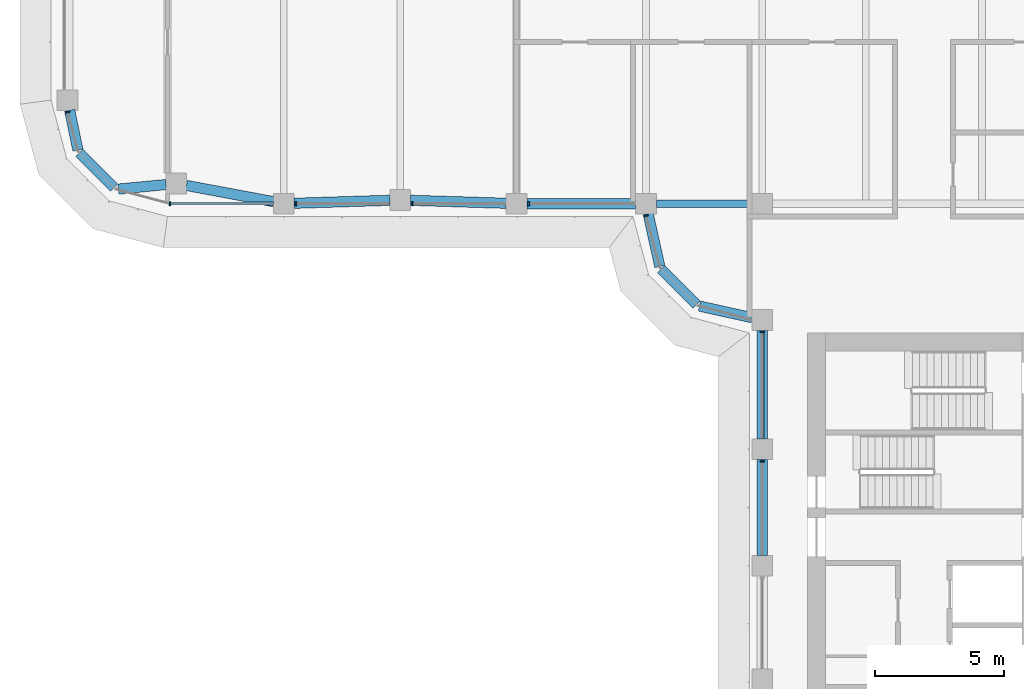
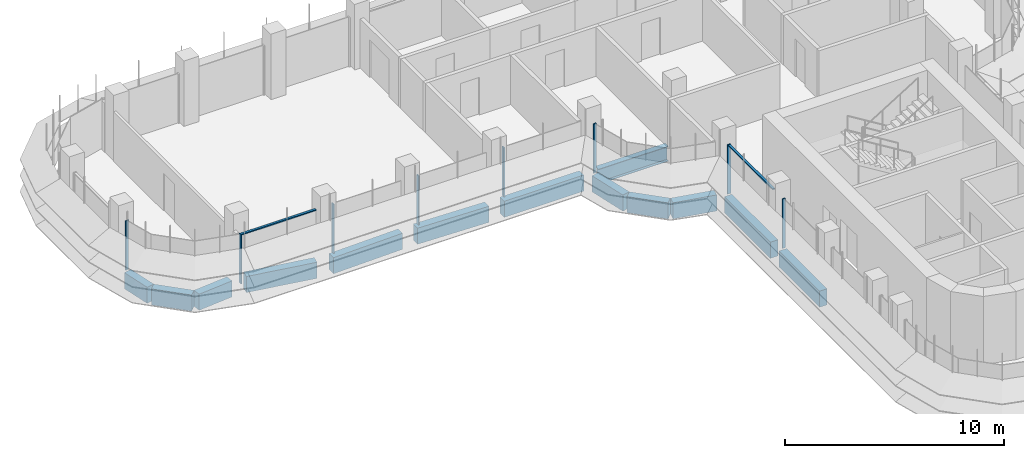
# One storey, part 3 of 20: 13 beams, 10 members, 4 elements without a shape of their own.
"""IFC4 building model written with IfcOpenShell, lengths in metres."""

from ifc_helpers import new_model, si_unit, direction, frame, origin, origin_2d, place, context, subcontext, project, spatial, polyline, rectangle, i_section, outline, extrude, source, transform, mapped, material, material_profile, profile_set, type_object, element, aggregate, save


model = new_model("IFC4")

# Units and contexts
model_context = context("Model", 3, precision=1e-05, world=origin(), true_north=direction((0.0, 1.0)))
body_context = subcontext(model_context, "Body", "Model", "MODEL_VIEW")
ifc_project = project(units=[si_unit("LENGTHUNIT", "METRE"), si_unit("AREAUNIT", "SQUARE_METRE"), si_unit("VOLUMEUNIT", "CUBIC_METRE"), si_unit("PLANEANGLEUNIT", "RADIAN"), si_unit("MASSUNIT", "GRAM", prefix="KILO")], contexts=[model_context])

# Site, building, storey
site_placement = place(None, origin())
site = spatial("IfcSite", under=ifc_project, at=site_placement, CompositionType="ELEMENT")
building_placement = place(site_placement, origin())
building = spatial("IfcBuilding", under=site, at=building_placement, Name="Zarbagh Exchange Tower", CompositionType="ELEMENT")
storey_placement = place(building_placement, frame((0.0, 0.0, 144.800048828125)))
storey = spatial("IfcBuildingStorey", under=building, at=storey_placement, Name="L34", CompositionType="ELEMENT", Elevation=144.800048828125)

# Beams
ifc_material_1 = material(Name="Steel ASTM A992 Gr 50", Category="steel")
ifc_material_profile_1 = material_profile(ifc_material_1, i_section(OverallWidth=0.2919921875, OverallDepth=0.835693359375, WebThickness=0.013916015625, FlangeThickness=0.018798828125, at=origin_2d()), Name="W33X118")
ifc_profile_set_1 = profile_set([ifc_material_profile_1], Name="Steel ASTM A992 Gr 50")
beam_type_1 = type_object("IfcBeamType", Name="Floor girder W33X118", PredefinedType="BEAM", material=ifc_profile_set_1)
beam_1_placement = place(storey_placement, frame((-10.35009765625, -6.25, -0.56787109375), z_axis=(1.0, 0.0, 0.0), x_axis=(0.0, 1.0, 0.0)))
element("IfcBeam", 1, at=beam_1_placement, inside=storey, type_object=beam_type_1, Name="Steel girder", PredefinedType="BEAM", context=body_context, shape_type="SweptSolid", body=[
    extrude(i_section(OverallWidth=0.2919921875, OverallDepth=0.835693359375, WebThickness=0.013916015625, FlangeThickness=0.018798828125, at=origin_2d()), origin(), (0.0, 0.0, 1.0), 3.7001953125),
])
ifc_material_2 = material(Name="Concrete C50/60", Category="concrete")
ifc_material_profile_2 = material_profile(ifc_material_2, rectangle(XDim=0.39990234375, YDim=0.89990234375, at=origin_2d()), Name="RC spandrel beam 400 x 900 C50/60")
ifc_profile_set_2 = profile_set([ifc_material_profile_2], Name="Concrete C50/60")
beam_type_2 = type_object("IfcBeamType", Name="RC spandrel beam 400 x 900 C50/60", PredefinedType="SPANDREL", material=ifc_profile_set_2)
beam_2_placement = place(storey_placement, frame((-6.25, -19.85009765625, -0.60009765625), z_axis=(0.0, 1.0, 0.0), x_axis=(-1.0, 0.0, 0.0)))
element("IfcBeam", 2, at=beam_2_placement, inside=storey, type_object=beam_type_2, Name="RC spandrel beam", PredefinedType="SPANDREL", context=body_context, shape_type="SweptSolid", body=[
    extrude(rectangle(XDim=0.39990234375, YDim=0.89990234375, at=origin_2d()), origin(), (0.0, 0.0, 1.0), 3.7001953125),
])
beam_3_placement = place(storey_placement, frame((-6.25, -15.35009765625, -0.60009765625), z_axis=(0.0, 1.0, 0.0), x_axis=(-1.0, 0.0, 0.0)))
element("IfcBeam", 3, at=beam_3_placement, inside=storey, type_object=beam_type_2, Name="RC spandrel beam", PredefinedType="SPANDREL", context=body_context, shape_type="SweptSolid", body=[
    extrude(rectangle(XDim=0.39990234375, YDim=0.89990234375, at=origin_2d()), origin(), (0.0, 0.0, 1.0), 4.2001953125),
])
beam_4_placement = place(storey_placement, frame((-6.640625, -10.66357421875, -0.60009765625), z_axis=(-0.976384278741, 0.216041061437, 0.0), x_axis=(-0.216041061437, -0.976384278741, 0.0)))
element("IfcBeam", 4, at=beam_4_placement, inside=storey, type_object=beam_type_2, Name="RC spandrel beam", PredefinedType="SPANDREL", context=body_context, shape_type="SweptSolid", body=[
    extrude(rectangle(XDim=0.39990234375, YDim=0.89990234375, at=origin_2d()), origin(), (0.0, 0.0, 1.0), 2.0927734375),
])
beam_5_placement = place(storey_placement, frame((-8.782470703125, -10.15771484375, -0.60009765625), z_axis=(-0.707106781187, 0.707106781187, 0.0), x_axis=(-0.707106781187, -0.707106781187, 0.0)))
element("IfcBeam", 5, at=beam_5_placement, inside=storey, type_object=beam_type_2, Name="RC spandrel beam", PredefinedType="SPANDREL", context=body_context, shape_type="SweptSolid", body=[
    extrude(rectangle(XDim=0.39990234375, YDim=0.89990234375, at=origin_2d()), origin(), (0.0, 0.0, 1.0), 1.94482421875),
])
beam_6_placement = place(storey_placement, frame((-10.21142578125, -8.68408203125, -0.60009765625), z_axis=(-0.216041061437, 0.976384278741, 0.0), x_axis=(-0.976384278741, -0.216041061437, 0.0)))
element("IfcBeam", 6, at=beam_6_placement, inside=storey, type_object=beam_type_2, Name="RC spandrel beam", PredefinedType="SPANDREL", context=body_context, shape_type="SweptSolid", body=[
    extrude(rectangle(XDim=0.39990234375, YDim=0.89990234375, at=origin_2d()), origin(), (0.0, 0.0, 1.0), 2.0927734375),
])
beam_7_placement = place(storey_placement, frame((-11.14990234375, -6.25, -0.60009765625), z_axis=(-1.0, 0.0, 0.0), x_axis=(0.0, -1.0, 0.0)))
element("IfcBeam", 7, at=beam_7_placement, inside=storey, type_object=beam_type_2, Name="RC spandrel beam", PredefinedType="SPANDREL", context=body_context, shape_type="SweptSolid", body=[
    extrude(rectangle(XDim=0.39990234375, YDim=0.89990234375, at=origin_2d()), origin(), (0.0, 0.0, 1.0), 4.2001953125),
])
for number, where, z_axis, x_axis, name in (
    (8, (-16.14990234375, -6.237548828125, -0.60009765625), (-0.999515416033, 0.031127690444, 0.0), (-0.031127690444, -0.999515416033, 0.0), "RC spandrel beam"),
    (9, (-20.64990234375, -6.122314453125, -0.60009765625), (-0.999515416033, -0.031127690444, 0.0), (0.031127690444, -0.999515416033, 0.0), "RC spandrel beam"),
):
    element("IfcBeam", number, at=place(storey_placement, frame(where, z_axis=z_axis, x_axis=x_axis)), inside=storey, type_object=beam_type_2, Name=name, PredefinedType="SPANDREL", context=body_context, shape_type="SweptSolid", body=[
        extrude(rectangle(XDim=0.39990234375, YDim=0.89990234375, at=origin_2d()), origin(), (0.0, 0.0, 1.0), 3.701904296875),
    ])
beam_8_placement = place(storey_placement, frame((-25.143310546875, -6.1767578125, -0.60009765625), z_axis=(-0.983069862768, 0.183231124313, 0.0), x_axis=(-0.183231124313, -0.983069862768, 0.0)))
element("IfcBeam", 10, at=beam_8_placement, inside=storey, type_object=beam_type_2, Name="RC spandrel beam", PredefinedType="SPANDREL", context=body_context, shape_type="SweptSolid", body=[
    extrude(rectangle(XDim=0.39990234375, YDim=0.89990234375, at=origin_2d()), origin(), (0.0, 0.0, 1.0), 3.4296875),
])
beam_9_placement = place(storey_placement, frame((-29.30615234375, -5.51318359375, -0.60009765625), z_axis=(-0.995435353267, -0.095438239015, 0.0), x_axis=(0.095438239015, -0.995435353267, 0.0)))
element("IfcBeam", 11, at=beam_9_placement, inside=storey, type_object=beam_type_2, Name="RC spandrel beam", PredefinedType="SPANDREL", context=body_context, shape_type="SweptSolid", body=[
    extrude(rectangle(XDim=0.39990234375, YDim=0.89990234375, at=origin_2d()), origin(), (0.0, 0.0, 1.0), 1.849609375),
])
beam_10_placement = place(storey_placement, frame((-31.307861328125, -5.632080078125, -0.60009765625), z_axis=(-0.707106781187, 0.707106781187, 0.0), x_axis=(-0.707106781187, -0.707106781187, 0.0)))
element("IfcBeam", 12, at=beam_10_placement, inside=storey, type_object=beam_type_2, Name="RC spandrel beam", PredefinedType="SPANDREL", context=body_context, shape_type="SweptSolid", body=[
    extrude(rectangle(XDim=0.39990234375, YDim=0.89990234375, at=origin_2d()), origin(), (0.0, 0.0, 1.0), 1.9072265625),
])
beam_11_placement = place(storey_placement, frame((-32.7109375, -4.1826171875, -0.60009765625), z_axis=(-0.20216948151, 0.979350550491, 0.0), x_axis=(-0.979350550491, -0.20216948151, 0.0)))
element("IfcBeam", 13, at=beam_11_placement, inside=storey, type_object=beam_type_2, Name="RC spandrel beam", PredefinedType="SPANDREL", context=body_context, shape_type="SweptSolid", body=[
    extrude(rectangle(XDim=0.39990234375, YDim=0.89990234375, at=origin_2d()), origin(), (0.0, 0.0, 1.0), 1.573486328125),
])

# Curtain wall, member
ifc_material_3 = material(Name="Anodised aluminium frame and glazing", Category="aluminium")
curtain_wall_type = type_object("IfcCurtainWallType", Name="CWB Ribbon glazing, upper zones", PredefinedType="NOTDEFINED", material=ifc_material_3)
curtain_wall_1_placement = place(storey_placement, origin())
curtain_wall_1 = element("IfcCurtainWall", 14, at=curtain_wall_1_placement, inside=storey, type_object=curtain_wall_type, Name="CWB37 curtain wall", PredefinedType="NOTDEFINED")
ifc_material_4 = material(Name="Anodised aluminium frame", Category="aluminium")
member_type_1 = type_object("IfcMemberType", Name="MUB Mullion, anodised aluminium frame", PredefinedType="MULLION", material=ifc_material_4)
shared_shape_1 = source(origin(), body_context, "Body", "SweptSolid", [
    extrude(outline(polyline([(0.0, -0.080078125), (0.06005859375, -0.080078125), (0.06005859375, 0.080078125), (0.0, 0.080078125), (0.0, -0.080078125)])), origin(), (0.0, 0.0, 1.0), 2.75),
])
placement = place(storey_placement, origin())
member_1 = element("IfcMember", 15, at=placement, type_object=member_type_1, Name="CWB37 mullion 1.1", PredefinedType="MULLION", context=body_context, shape_type="MappedRepresentation", body=[
    mapped(shared_shape_1, transform((-33.114501953125, -2.68994140625, 0.0), x_axis=(0.258824779902, -0.965924289636, 0.0), y_axis=(0.965924289636, 0.258824779902, 0.0), z_axis=(0.0, 0.0, 1.0))),
])
aggregate(curtain_wall_1, [member_1])

# Curtain wall, members
curtain_wall_2_placement = place(storey_placement, origin())
curtain_wall_2 = element("IfcCurtainWall", 16, at=curtain_wall_2_placement, inside=storey, type_object=curtain_wall_type, Name="CWB40 curtain wall", PredefinedType="NOTDEFINED")
member_2 = element("IfcMember", 17, at=placement, type_object=member_type_1, Name="CWB40 mullion 1.1", PredefinedType="MULLION", context=body_context, shape_type="MappedRepresentation", body=[
    mapped(shared_shape_1, transform((-29.18408203125, -6.25, 0.0), x_axis=(1.0, 0.0, 0.0), y_axis=(0.0, 1.0, 0.0), z_axis=(0.0, 0.0, 1.0))),
])
member_3 = element("IfcMember", 18, at=placement, type_object=member_type_1, Name="CWB40 mullion 2.1", PredefinedType="MULLION", context=body_context, shape_type="MappedRepresentation", body=[
    mapped(shared_shape_1, transform((-24.31005859375, -6.25, 0.0), x_axis=(1.0, 0.0, 0.0), y_axis=(0.0, 1.0, 0.0), z_axis=(0.0, 0.0, 1.0))),
])
member_4 = element("IfcMember", 19, at=placement, type_object=member_type_1, Name="CWB40 mullion 3.1", PredefinedType="MULLION", context=body_context, shape_type="MappedRepresentation", body=[
    mapped(shared_shape_1, transform((-19.81005859375, -6.25, 0.0), x_axis=(1.0, 0.0, 0.0), y_axis=(0.0, 1.0, 0.0), z_axis=(0.0, 0.0, 1.0))),
])
member_5 = element("IfcMember", 20, at=placement, type_object=member_type_1, Name="CWB40 mullion 4.1", PredefinedType="MULLION", context=body_context, shape_type="MappedRepresentation", body=[
    mapped(shared_shape_1, transform((-15.31005859375, -6.25, 0.0), x_axis=(1.0, 0.0, 0.0), y_axis=(0.0, 1.0, 0.0), z_axis=(0.0, 0.0, 1.0))),
])

# Curtain wall, member
curtain_wall_3_placement = place(storey_placement, origin())
curtain_wall_3 = element("IfcCurtainWall", 21, at=curtain_wall_3_placement, inside=storey, type_object=curtain_wall_type, Name="CWB41 curtain wall", PredefinedType="NOTDEFINED")
member_6 = element("IfcMember", 22, at=placement, type_object=member_type_1, Name="CWB41 mullion 1.1", PredefinedType="MULLION", context=body_context, shape_type="MappedRepresentation", body=[
    mapped(shared_shape_1, transform((-10.74853515625, -6.68994140625, 0.0), x_axis=(0.258824779902, -0.965924289636, 0.0), y_axis=(0.965924289636, 0.258824779902, 0.0), z_axis=(0.0, 0.0, 1.0))),
])
aggregate(curtain_wall_3, [member_6])

# Curtain wall, members
curtain_wall_4_placement = place(storey_placement, origin())
curtain_wall_4 = element("IfcCurtainWall", 23, at=curtain_wall_4_placement, inside=storey, type_object=curtain_wall_type, Name="CWB44 curtain wall", PredefinedType="NOTDEFINED")
member_7 = element("IfcMember", 24, at=placement, type_object=member_type_1, Name="CWB44 mullion 1.1", PredefinedType="MULLION", context=body_context, shape_type="MappedRepresentation", body=[
    mapped(shared_shape_1, transform((-6.25, -11.18994140625, 0.0), x_axis=(0.0, -1.0, 0.0), y_axis=(1.0, 0.0, 0.0), z_axis=(0.0, 0.0, 1.0))),
])
member_8 = element("IfcMember", 25, at=placement, type_object=member_type_1, Name="CWB44 mullion 2.1", PredefinedType="MULLION", context=body_context, shape_type="MappedRepresentation", body=[
    mapped(shared_shape_1, transform((-6.25, -16.18994140625, 0.0), x_axis=(0.0, -1.0, 0.0), y_axis=(1.0, 0.0, 0.0), z_axis=(0.0, 0.0, 1.0))),
])
member_type_2 = type_object("IfcMemberType", Name="TRB Transom, anodised aluminium frame", PredefinedType="USERDEFINED", material=ifc_material_4)
shared_shape_2 = source(origin(), body_context, "Body", "SweptSolid", [
    extrude(outline(polyline([(-0.06005859375, -0.06005859375), (0.0, -0.06005859375), (0.0, 0.06005859375), (-0.06005859375, 0.06005859375), (-0.06005859375, -0.06005859375)])), origin(), (0.0, 0.0, 1.0), 4.06005859375),
])
member_9 = element("IfcMember", 26, at=placement, type_object=member_type_2, Name="CWB44 transom 1.1", ObjectType="TRANSOM", PredefinedType="USERDEFINED", context=body_context, shape_type="MappedRepresentation", body=[
    mapped(shared_shape_2, transform((-6.25, -11.25, 2.75), x_axis=(0.0, 0.0, 1.0), y_axis=(-1.0, 0.0, 0.0), z_axis=(0.0, -1.0, 0.0))),
])
aggregate(curtain_wall_4, [member_7, member_9, member_8])

# Member
shared_shape_3 = source(origin(), body_context, "Body", "SweptSolid", [
    extrude(outline(polyline([(-0.06005859375, -0.06005859375), (0.0, -0.06005859375), (0.0, 0.06005859375), (-0.06005859375, 0.06005859375), (-0.06005859375, -0.06005859375)])), origin(), (0.0, 0.0, 1.0), 3.93408203125),
])
member_10 = element("IfcMember", 27, at=placement, type_object=member_type_2, Name="CWB40 transom 1.1", ObjectType="TRANSOM", PredefinedType="USERDEFINED", context=body_context, shape_type="MappedRepresentation", body=[
    mapped(shared_shape_3, transform((-29.124267578125, -6.25, 2.75), x_axis=(0.0, 0.0, 1.0), y_axis=(0.0, -1.0, 0.0), z_axis=(1.0, 0.0, 0.0))),
])

aggregate(curtain_wall_2, [member_2, member_10, member_3, member_4, member_5])

save(model, "model.ifc")
